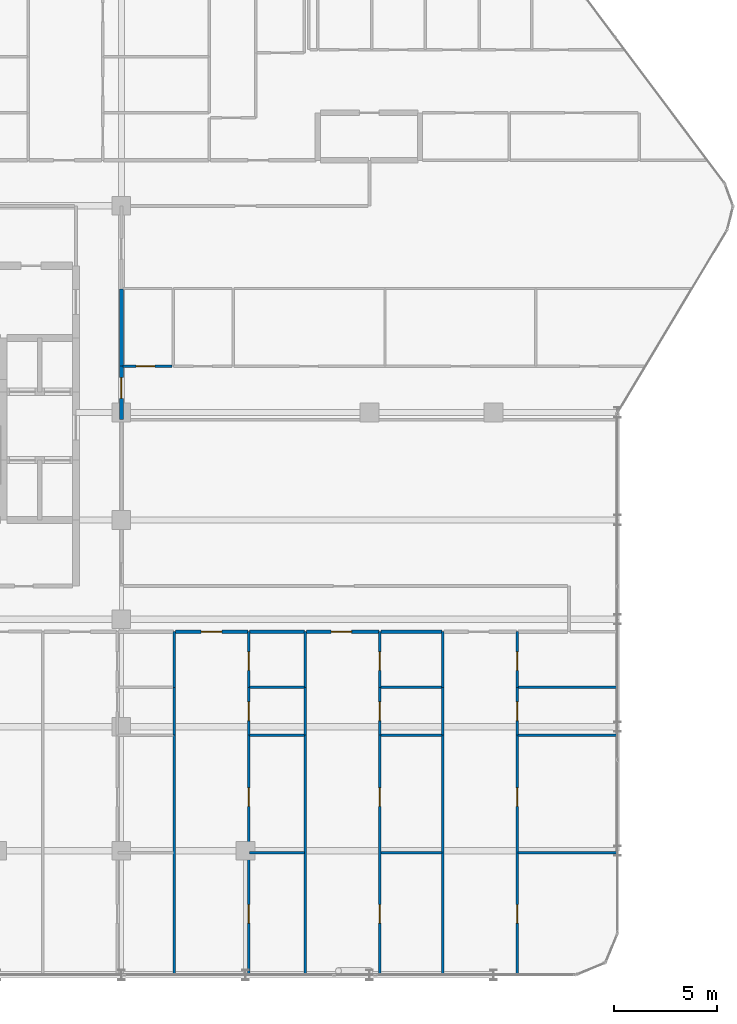
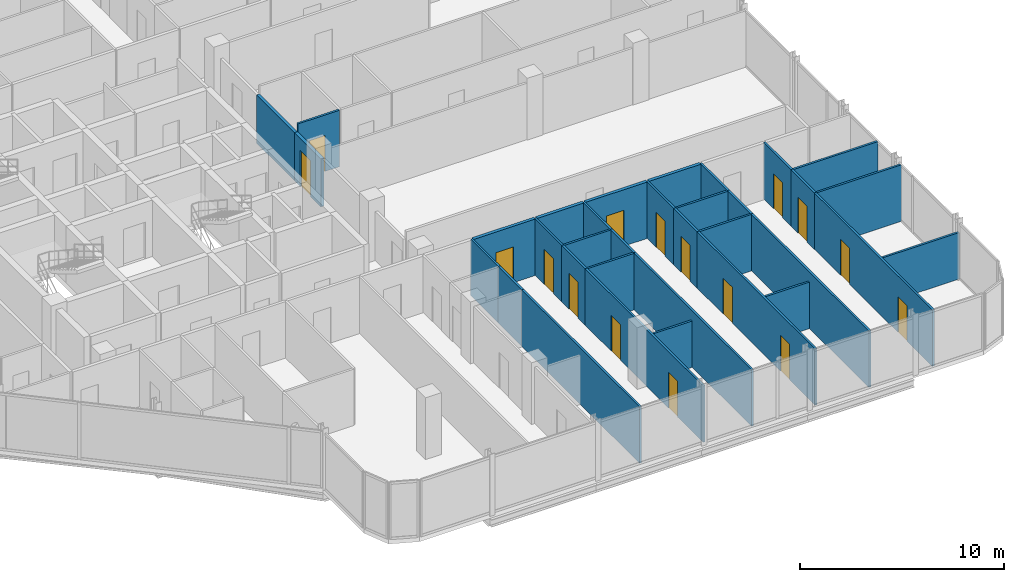
# One storey, part 27 of 32: 34 walls, 16 doors, 16 openings.
"""IFC4 building model written with IfcOpenShell, lengths in metres."""

from ifc_helpers import new_model, si_unit, direction, frame, frame_2d, origin, place, context, subcontext, project, spatial, rectangle, extrude, material, layer, layer_set, type_object, element, fill, save


model = new_model("IFC4")

# Units and contexts
model_context = context("Model", 3, precision=1e-05, world=origin(), true_north=direction((0.0, 1.0)))
body_context = subcontext(model_context, "Body", "Model", "MODEL_VIEW")
ifc_project = project(units=[si_unit("LENGTHUNIT", "METRE"), si_unit("AREAUNIT", "SQUARE_METRE"), si_unit("VOLUMEUNIT", "CUBIC_METRE"), si_unit("PLANEANGLEUNIT", "RADIAN"), si_unit("MASSUNIT", "GRAM", prefix="KILO")], contexts=[model_context])

# Site, building, storey
site_placement = place(None, origin())
site = spatial("IfcSite", under=ifc_project, at=site_placement, CompositionType="ELEMENT")
building_placement = place(site_placement, origin())
building = spatial("IfcBuilding", under=site, at=building_placement, Name="Keshet Zoharim Tower", CompositionType="ELEMENT")
storey_placement = place(building_placement, frame((0.0, 0.0, 152.0)))
storey = spatial("IfcBuildingStorey", under=building, at=storey_placement, Name="L37", CompositionType="ELEMENT", Elevation=152.0)

# Wall, opening, door
ifc_material_1 = material(Name="Gypsum Plasterboard", Category="gypsum")
ifc_layer_1 = layer(ifc_material_1, 0.179931640625)
ifc_layer_set_1 = layer_set([ifc_layer_1], Name="Gypsum Plasterboard")
wall_type_1 = type_object("IfcWallType", Name="WL-CORR-180", PredefinedType="STANDARD", material=ifc_layer_set_1)
wall_1_placement = place(storey_placement, frame((33.0, 27.56005859375, 0.0), z_axis=(0.0, 0.0, 1.0), x_axis=(0.0, 1.0, 0.0)))
wall_1 = element("IfcWall", 1, at=wall_1_placement, inside=storey, type_object=wall_type_1, Name="L37 Interior Wall 071", PredefinedType="STANDARD", context=body_context, shape_type="SweptSolid", body=[
    extrude(rectangle(XDim=2.599853515625, YDim=0.179931640625, at=frame_2d((1.2998046875, 0.0))), origin(), (0.0, 0.0, 1.0), 2.885009765625),
])
opening_1_placement = place(wall_1_placement, frame((1.030029296875, 0.0, 0.0)))
opening_1 = element("IfcOpeningElement", 2, at=opening_1_placement, cuts=wall_1, Name="Opening D-F310", PredefinedType="OPENING", context=body_context, shape_type="SweptSolid", body=[
    extrude(rectangle(XDim=1.0, YDim=2.14990234375, at=frame_2d((0.5, 1.074951171875))), frame((0.0, 0.10009765625, 0.0), z_axis=(0.0, -1.0, 0.0), x_axis=(1.0, 0.0, 0.0)), (0.0, 0.0, 1.0), 0.199951171875),
])
ifc_material_2 = material(Name="Hardwood Timber", Category="wood")
door_type_1 = type_object("IfcDoorType", Name="DR-FD30-100", OperationType="NOTDEFINED", PredefinedType="DOOR", material=ifc_material_2)
door_1_placement = place(opening_1_placement, origin())
door_1 = element("IfcDoor", 3, at=door_1_placement, inside=storey, type_object=door_type_1, Name="Apartment 3713 Entrance Door", OperationType="SINGLE_SWING_RIGHT", OverallHeight=2.14990234375, OverallWidth=1.0, PredefinedType="DOOR", context=body_context, shape_type="SweptSolid", body=[
    extrude(rectangle(XDim=1.0, YDim=2.14990234375, at=frame_2d((0.5, 1.074951171875))), frame((0.0, 0.02490234375, 0.0), z_axis=(0.0, -1.0, 0.0), x_axis=(1.0, 0.0, 0.0)), (0.0, 0.0, 1.0), 0.050048828125),
])
fill(opening_1, door_1)

# Wall
wall_2_placement = place(storey_placement, frame((33.0, 30.159912109375, 0.0), z_axis=(0.0, 0.0, 1.0), x_axis=(0.0, 1.0, 0.0)))
element("IfcWall", 4, at=wall_2_placement, inside=storey, type_object=wall_type_1, Name="L37 Interior Wall 072", PredefinedType="STANDARD", context=body_context, shape_type="SweptSolid", body=[
    extrude(rectangle(XDim=3.719970703125, YDim=0.179931640625, at=frame_2d((1.85986328125, 0.0))), origin(), (0.0, 0.0, 1.0), 2.885009765625),
])

# Wall, opening, door
wall_3_placement = place(storey_placement, frame((35.60498046875, 17.300048828125, 0.0), z_axis=(0.0, 0.0, 1.0), x_axis=(1.0, 0.0, 0.0)))
wall_3 = element("IfcWall", 5, at=wall_3_placement, inside=storey, type_object=wall_type_1, Name="L37 Interior Wall 137", PredefinedType="STANDARD", context=body_context, shape_type="SweptSolid", body=[
    extrude(rectangle(XDim=3.510009765625, YDim=0.179931640625, at=frame_2d((1.7548828125, 0.0))), origin(), (0.0, 0.0, 1.0), 3.385009765625),
])
opening_2_placement = place(wall_3_placement, frame((1.2548828125, 0.0, 0.0)))
opening_2 = element("IfcOpeningElement", 6, at=opening_2_placement, cuts=wall_3, Name="Opening D-F310", PredefinedType="OPENING", context=body_context, shape_type="SweptSolid", body=[
    extrude(rectangle(XDim=1.0, YDim=2.14990234375, at=frame_2d((0.5, 1.074951171875))), frame((0.0, 0.10009765625, 0.0), z_axis=(0.0, -1.0, 0.0), x_axis=(1.0, 0.0, 0.0)), (0.0, 0.0, 1.0), 0.199951171875),
])
door_2_placement = place(opening_2_placement, origin())
door_2 = element("IfcDoor", 7, at=door_2_placement, inside=storey, type_object=door_type_1, Name="Apartment 3703 Entrance Door", OperationType="SINGLE_SWING_RIGHT", OverallHeight=2.14990234375, OverallWidth=1.0, PredefinedType="DOOR", context=body_context, shape_type="SweptSolid", body=[
    extrude(rectangle(XDim=1.0, YDim=2.14990234375, at=frame_2d((0.5, 1.074951171875))), frame((0.0, 0.02490234375, 0.0), z_axis=(0.0, -1.0, 0.0), x_axis=(1.0, 0.0, 0.0)), (0.0, 0.0, 1.0), 0.050048828125),
])
fill(opening_2, door_2)

# Wall
wall_4_placement = place(storey_placement, frame((39.205078125, 17.300048828125, 0.0), z_axis=(0.0, 0.0, 1.0), x_axis=(1.0, 0.0, 0.0)))
element("IfcWall", 8, at=wall_4_placement, inside=storey, type_object=wall_type_1, Name="L37 Interior Wall 138", PredefinedType="STANDARD", context=body_context, shape_type="SweptSolid", body=[
    extrude(rectangle(XDim=2.659912109375, YDim=0.179931640625, at=frame_2d((1.330078125, 0.0))), origin(), (0.0, 0.0, 1.0), 3.385009765625),
])

# Wall, opening, door
wall_5_placement = place(storey_placement, frame((41.955078125, 17.300048828125, 0.0), z_axis=(0.0, 0.0, 1.0), x_axis=(1.0, 0.0, 0.0)))
wall_5 = element("IfcWall", 9, at=wall_5_placement, inside=storey, type_object=wall_type_1, Name="L37 Interior Wall 139", PredefinedType="STANDARD", context=body_context, shape_type="SweptSolid", body=[
    extrude(rectangle(XDim=3.510009765625, YDim=0.179931640625, at=frame_2d((1.7548828125, 0.0))), origin(), (0.0, 0.0, 1.0), 3.385009765625),
])
opening_3_placement = place(wall_5_placement, frame((1.18505859375, 0.0, 0.0)))
opening_3 = element("IfcOpeningElement", 10, at=opening_3_placement, cuts=wall_5, Name="Opening D-F310", PredefinedType="OPENING", context=body_context, shape_type="SweptSolid", body=[
    extrude(rectangle(XDim=1.0, YDim=2.14990234375, at=frame_2d((0.5, 1.074951171875))), frame((0.0, 0.10009765625, 0.0), z_axis=(0.0, -1.0, 0.0), x_axis=(1.0, 0.0, 0.0)), (0.0, 0.0, 1.0), 0.199951171875),
])
door_3_placement = place(opening_3_placement, origin())
door_3 = element("IfcDoor", 11, at=door_3_placement, inside=storey, type_object=door_type_1, Name="Apartment 3704 Entrance Door", OperationType="SINGLE_SWING_LEFT", OverallHeight=2.14990234375, OverallWidth=1.0, PredefinedType="DOOR", context=body_context, shape_type="SweptSolid", body=[
    extrude(rectangle(XDim=1.0, YDim=2.14990234375, at=frame_2d((0.5, 1.074951171875))), frame((0.0, 0.02490234375, 0.0), z_axis=(0.0, -1.0, 0.0), x_axis=(1.0, 0.0, 0.0)), (0.0, 0.0, 1.0), 0.050048828125),
])
fill(opening_3, door_3)

# Walls
wall_6_placement = place(storey_placement, frame((45.554931640625, 17.300048828125, 0.0), z_axis=(0.0, 0.0, 1.0), x_axis=(1.0, 0.0, 0.0)))
element("IfcWall", 12, at=wall_6_placement, inside=storey, type_object=wall_type_1, Name="L37 Interior Wall 140", PredefinedType="STANDARD", context=body_context, shape_type="SweptSolid", body=[
    extrude(rectangle(XDim=2.949951171875, YDim=0.179931640625, at=frame_2d((1.47509765625, 0.0))), origin(), (0.0, 0.0, 1.0), 3.385009765625),
])
ifc_layer_2 = layer(ifc_material_1, 0.1201171875)
ifc_layer_set_2 = layer_set([ifc_layer_2], Name="Gypsum Plasterboard")
wall_type_2 = type_object("IfcWallType", Name="WL-PART-120", PredefinedType="PARTITIONING", material=ifc_layer_set_2)
wall_7_placement = place(storey_placement, frame((35.550048828125, 0.7099609375, 0.0), z_axis=(0.0, 0.0, 1.0), x_axis=(0.0, 1.0, 0.0)))
element("IfcWall", 13, at=wall_7_placement, inside=storey, type_object=wall_type_2, Name="L37 Interior Wall 075", PredefinedType="PARTITIONING", context=body_context, shape_type="SweptSolid", body=[
    extrude(rectangle(XDim=11.590087890625, YDim=0.1201171875, at=frame_2d((5.794921875, 0.0))), origin(), (0.0, 0.0, 1.0), 3.385009765625),
])
wall_8_placement = place(storey_placement, frame((35.550048828125, 12.300048828125, 0.0), z_axis=(0.0, 0.0, 1.0), x_axis=(0.0, 1.0, 0.0)))
element("IfcWall", 14, at=wall_8_placement, inside=storey, type_object=wall_type_2, Name="L37 Interior Wall 076", PredefinedType="PARTITIONING", context=body_context, shape_type="SweptSolid", body=[
    extrude(rectangle(XDim=2.300048828125, YDim=0.1201171875, at=frame_2d((1.14990234375, 0.0))), origin(), (0.0, 0.0, 1.0), 3.385009765625),
])

# Wall, openings, doors
wall_9_placement = place(storey_placement, frame((39.14990234375, 0.7099609375, 0.0), z_axis=(0.0, 0.0, 1.0), x_axis=(0.0, 1.0, 0.0)))
wall_9 = element("IfcWall", 15, at=wall_9_placement, inside=storey, type_object=wall_type_2, Name="L37 Interior Wall 082", PredefinedType="PARTITIONING", context=body_context, shape_type="SweptSolid", body=[
    extrude(rectangle(XDim=11.590087890625, YDim=0.1201171875, at=frame_2d((5.794921875, 0.0))), origin(), (0.0, 0.0, 1.0), 3.385009765625),
])
opening_4_placement = place(wall_9_placement, frame((2.489990234375, 0.0, 0.0)))
opening_4 = element("IfcOpeningElement", 16, at=opening_4_placement, cuts=wall_9, Name="Opening D-IN90", PredefinedType="OPENING", context=body_context, shape_type="SweptSolid", body=[
    extrude(rectangle(XDim=0.89990234375, YDim=2.14990234375, at=frame_2d((0.449951171875, 1.074951171875))), frame((0.0, 0.070068359375, 0.0), z_axis=(0.0, -1.0, 0.0), x_axis=(1.0, 0.0, 0.0)), (0.0, 0.0, 1.0), 0.14013671875),
])
opening_5_placement = place(wall_9_placement, frame((8.133056640625, 0.0, 0.0)))
opening_5 = element("IfcOpeningElement", 17, at=opening_5_placement, cuts=wall_9, Name="Opening D-IN90", PredefinedType="OPENING", context=body_context, shape_type="SweptSolid", body=[
    extrude(rectangle(XDim=0.89990234375, YDim=2.14990234375, at=frame_2d((0.449951171875, 1.074951171875))), frame((0.0, 0.070068359375, 0.0), z_axis=(0.0, -1.0, 0.0), x_axis=(1.0, 0.0, 0.0)), (0.0, 0.0, 1.0), 0.14013671875),
])
door_type_2 = type_object("IfcDoorType", Name="DR-INT-090", OperationType="NOTDEFINED", PredefinedType="DOOR", material=ifc_material_2)
door_4_placement = place(opening_4_placement, origin())
door_4 = element("IfcDoor", 18, at=door_4_placement, inside=storey, type_object=door_type_2, Name="Apartment 3703 Bedroom 1 Door", OperationType="SINGLE_SWING_RIGHT", OverallHeight=2.14990234375, OverallWidth=0.89990234375, PredefinedType="DOOR", context=body_context, shape_type="SweptSolid", body=[
    extrude(rectangle(XDim=0.89990234375, YDim=2.14990234375, at=frame_2d((0.449951171875, 1.074951171875))), frame((0.0, 0.02490234375, 0.0), z_axis=(0.0, -1.0, 0.0), x_axis=(1.0, 0.0, 0.0)), (0.0, 0.0, 1.0), 0.050048828125),
])
fill(opening_4, door_4)
door_5_placement = place(opening_5_placement, origin())
door_5 = element("IfcDoor", 19, at=door_5_placement, inside=storey, type_object=door_type_2, Name="Apartment 3703 Bedroom 2 Door", OperationType="SINGLE_SWING_LEFT", OverallHeight=2.14990234375, OverallWidth=0.89990234375, PredefinedType="DOOR", context=body_context, shape_type="SweptSolid", body=[
    extrude(rectangle(XDim=0.89990234375, YDim=2.14990234375, at=frame_2d((0.449951171875, 1.074951171875))), frame((0.0, 0.02490234375, 0.0), z_axis=(0.0, -1.0, 0.0), x_axis=(1.0, 0.0, 0.0)), (0.0, 0.0, 1.0), 0.050048828125),
])
fill(opening_5, door_5)

# Wall, opening, door
wall_10_placement = place(storey_placement, frame((39.14990234375, 12.300048828125, 0.0), z_axis=(0.0, 0.0, 1.0), x_axis=(0.0, 1.0, 0.0)))
wall_10 = element("IfcWall", 20, at=wall_10_placement, inside=storey, type_object=wall_type_2, Name="L37 Interior Wall 083", PredefinedType="PARTITIONING", context=body_context, shape_type="SweptSolid", body=[
    extrude(rectangle(XDim=2.300048828125, YDim=0.1201171875, at=frame_2d((1.14990234375, 0.0))), origin(), (0.0, 0.0, 1.0), 3.385009765625),
])
opening_6_placement = place(wall_10_placement, frame((0.699951171875, 0.0, 0.0)))
opening_6 = element("IfcOpeningElement", 21, at=opening_6_placement, cuts=wall_10, Name="Opening D-IN90", PredefinedType="OPENING", context=body_context, shape_type="SweptSolid", body=[
    extrude(rectangle(XDim=0.89990234375, YDim=2.14990234375, at=frame_2d((0.449951171875, 1.074951171875))), frame((0.0, 0.070068359375, 0.0), z_axis=(0.0, -1.0, 0.0), x_axis=(1.0, 0.0, 0.0)), (0.0, 0.0, 1.0), 0.14013671875),
])
door_6_placement = place(opening_6_placement, origin())
door_6 = element("IfcDoor", 22, at=door_6_placement, inside=storey, type_object=door_type_2, Name="Apartment 3703 Kitchen Door", OperationType="SINGLE_SWING_RIGHT", OverallHeight=2.14990234375, OverallWidth=0.89990234375, PredefinedType="DOOR", context=body_context, shape_type="SweptSolid", body=[
    extrude(rectangle(XDim=0.89990234375, YDim=2.14990234375, at=frame_2d((0.449951171875, 1.074951171875))), frame((0.0, 0.02490234375, 0.0), z_axis=(0.0, -1.0, 0.0), x_axis=(1.0, 0.0, 0.0)), (0.0, 0.0, 1.0), 0.050048828125),
])
fill(opening_6, door_6)

# Walls
wall_11_placement = place(storey_placement, frame((41.89990234375, 0.7099609375, 0.0), z_axis=(0.0, 0.0, 1.0), x_axis=(0.0, 1.0, 0.0)))
element("IfcWall", 23, at=wall_11_placement, inside=storey, type_object=wall_type_2, Name="L37 Interior Wall 088", PredefinedType="PARTITIONING", context=body_context, shape_type="SweptSolid", body=[
    extrude(rectangle(XDim=11.590087890625, YDim=0.1201171875, at=frame_2d((5.794921875, 0.0))), origin(), (0.0, 0.0, 1.0), 3.385009765625),
])
wall_12_placement = place(storey_placement, frame((41.89990234375, 12.300048828125, 0.0), z_axis=(0.0, 0.0, 1.0), x_axis=(0.0, 1.0, 0.0)))
element("IfcWall", 24, at=wall_12_placement, inside=storey, type_object=wall_type_2, Name="L37 Interior Wall 089", PredefinedType="PARTITIONING", context=body_context, shape_type="SweptSolid", body=[
    extrude(rectangle(XDim=2.300048828125, YDim=0.1201171875, at=frame_2d((1.14990234375, 0.0))), origin(), (0.0, 0.0, 1.0), 3.385009765625),
])

# Wall, openings, doors
wall_13_placement = place(storey_placement, frame((45.5, 0.7099609375, 0.0), z_axis=(0.0, 0.0, 1.0), x_axis=(0.0, 1.0, 0.0)))
wall_13 = element("IfcWall", 25, at=wall_13_placement, inside=storey, type_object=wall_type_2, Name="L37 Interior Wall 096", PredefinedType="PARTITIONING", context=body_context, shape_type="SweptSolid", body=[
    extrude(rectangle(XDim=11.590087890625, YDim=0.1201171875, at=frame_2d((5.794921875, 0.0))), origin(), (0.0, 0.0, 1.0), 3.385009765625),
])
opening_7_placement = place(wall_13_placement, frame((2.489990234375, 0.0, 0.0)))
opening_7 = element("IfcOpeningElement", 26, at=opening_7_placement, cuts=wall_13, Name="Opening D-IN90", PredefinedType="OPENING", context=body_context, shape_type="SweptSolid", body=[
    extrude(rectangle(XDim=0.89990234375, YDim=2.14990234375, at=frame_2d((0.449951171875, 1.074951171875))), frame((0.0, 0.070068359375, 0.0), z_axis=(0.0, -1.0, 0.0), x_axis=(1.0, 0.0, 0.0)), (0.0, 0.0, 1.0), 0.14013671875),
])
opening_8_placement = place(wall_13_placement, frame((8.133056640625, 0.0, 0.0)))
opening_8 = element("IfcOpeningElement", 27, at=opening_8_placement, cuts=wall_13, Name="Opening D-IN90", PredefinedType="OPENING", context=body_context, shape_type="SweptSolid", body=[
    extrude(rectangle(XDim=0.89990234375, YDim=2.14990234375, at=frame_2d((0.449951171875, 1.074951171875))), frame((0.0, 0.070068359375, 0.0), z_axis=(0.0, -1.0, 0.0), x_axis=(1.0, 0.0, 0.0)), (0.0, 0.0, 1.0), 0.14013671875),
])
door_7_placement = place(opening_7_placement, origin())
door_7 = element("IfcDoor", 28, at=door_7_placement, inside=storey, type_object=door_type_2, Name="Apartment 3704 Bedroom 1 Door", OperationType="SINGLE_SWING_RIGHT", OverallHeight=2.14990234375, OverallWidth=0.89990234375, PredefinedType="DOOR", context=body_context, shape_type="SweptSolid", body=[
    extrude(rectangle(XDim=0.89990234375, YDim=2.14990234375, at=frame_2d((0.449951171875, 1.074951171875))), frame((0.0, 0.02490234375, 0.0), z_axis=(0.0, -1.0, 0.0), x_axis=(1.0, 0.0, 0.0)), (0.0, 0.0, 1.0), 0.050048828125),
])
fill(opening_7, door_7)
door_8_placement = place(opening_8_placement, origin())
door_8 = element("IfcDoor", 29, at=door_8_placement, inside=storey, type_object=door_type_2, Name="Apartment 3704 Bedroom 2 Door", OperationType="SINGLE_SWING_LEFT", OverallHeight=2.14990234375, OverallWidth=0.89990234375, PredefinedType="DOOR", context=body_context, shape_type="SweptSolid", body=[
    extrude(rectangle(XDim=0.89990234375, YDim=2.14990234375, at=frame_2d((0.449951171875, 1.074951171875))), frame((0.0, 0.02490234375, 0.0), z_axis=(0.0, -1.0, 0.0), x_axis=(1.0, 0.0, 0.0)), (0.0, 0.0, 1.0), 0.050048828125),
])
fill(opening_8, door_8)

# Wall, opening, door
wall_14_placement = place(storey_placement, frame((45.5, 12.300048828125, 0.0), z_axis=(0.0, 0.0, 1.0), x_axis=(0.0, 1.0, 0.0)))
wall_14 = element("IfcWall", 30, at=wall_14_placement, inside=storey, type_object=wall_type_2, Name="L37 Interior Wall 097", PredefinedType="PARTITIONING", context=body_context, shape_type="SweptSolid", body=[
    extrude(rectangle(XDim=2.300048828125, YDim=0.1201171875, at=frame_2d((1.14990234375, 0.0))), origin(), (0.0, 0.0, 1.0), 3.385009765625),
])
opening_9_placement = place(wall_14_placement, frame((0.699951171875, 0.0, 0.0)))
opening_9 = element("IfcOpeningElement", 31, at=opening_9_placement, cuts=wall_14, Name="Opening D-IN90", PredefinedType="OPENING", context=body_context, shape_type="SweptSolid", body=[
    extrude(rectangle(XDim=0.89990234375, YDim=2.14990234375, at=frame_2d((0.449951171875, 1.074951171875))), frame((0.0, 0.070068359375, 0.0), z_axis=(0.0, -1.0, 0.0), x_axis=(1.0, 0.0, 0.0)), (0.0, 0.0, 1.0), 0.14013671875),
])
door_9_placement = place(opening_9_placement, origin())
door_9 = element("IfcDoor", 32, at=door_9_placement, inside=storey, type_object=door_type_2, Name="Apartment 3704 Kitchen Door", OperationType="SINGLE_SWING_RIGHT", OverallHeight=2.14990234375, OverallWidth=0.89990234375, PredefinedType="DOOR", context=body_context, shape_type="SweptSolid", body=[
    extrude(rectangle(XDim=0.89990234375, YDim=2.14990234375, at=frame_2d((0.449951171875, 1.074951171875))), frame((0.0, 0.02490234375, 0.0), z_axis=(0.0, -1.0, 0.0), x_axis=(1.0, 0.0, 0.0)), (0.0, 0.0, 1.0), 0.050048828125),
])
fill(opening_9, door_9)

# Walls
wall_15_placement = place(storey_placement, frame((48.550048828125, 0.7099609375, 0.0), z_axis=(0.0, 0.0, 1.0), x_axis=(0.0, 1.0, 0.0)))
element("IfcWall", 33, at=wall_15_placement, inside=storey, type_object=wall_type_2, Name="L37 Interior Wall 102", PredefinedType="PARTITIONING", context=body_context, shape_type="SweptSolid", body=[
    extrude(rectangle(XDim=11.590087890625, YDim=0.1201171875, at=frame_2d((5.794921875, 0.0))), origin(), (0.0, 0.0, 1.0), 3.385009765625),
])
wall_16_placement = place(storey_placement, frame((48.550048828125, 12.300048828125, 0.0), z_axis=(0.0, 0.0, 1.0), x_axis=(0.0, 1.0, 0.0)))
element("IfcWall", 34, at=wall_16_placement, inside=storey, type_object=wall_type_2, Name="L37 Interior Wall 103", PredefinedType="PARTITIONING", context=body_context, shape_type="SweptSolid", body=[
    extrude(rectangle(XDim=2.300048828125, YDim=0.1201171875, at=frame_2d((1.14990234375, 0.0))), origin(), (0.0, 0.0, 1.0), 3.385009765625),
])

# Wall, openings, doors
wall_17_placement = place(storey_placement, frame((52.14990234375, 0.7099609375, 0.0), z_axis=(0.0, 0.0, 1.0), x_axis=(0.0, 1.0, 0.0)))
wall_17 = element("IfcWall", 35, at=wall_17_placement, inside=storey, type_object=wall_type_2, Name="L37 Interior Wall 107", PredefinedType="PARTITIONING", context=body_context, shape_type="SweptSolid", body=[
    extrude(rectangle(XDim=11.590087890625, YDim=0.1201171875, at=frame_2d((5.794921875, 0.0))), origin(), (0.0, 0.0, 1.0), 3.385009765625),
])
opening_10_placement = place(wall_17_placement, frame((2.489990234375, 0.0, 0.0)))
opening_10 = element("IfcOpeningElement", 36, at=opening_10_placement, cuts=wall_17, Name="Opening D-IN90", PredefinedType="OPENING", context=body_context, shape_type="SweptSolid", body=[
    extrude(rectangle(XDim=0.89990234375, YDim=2.14990234375, at=frame_2d((0.449951171875, 1.074951171875))), frame((0.0, 0.070068359375, 0.0), z_axis=(0.0, -1.0, 0.0), x_axis=(1.0, 0.0, 0.0)), (0.0, 0.0, 1.0), 0.14013671875),
])
opening_11_placement = place(wall_17_placement, frame((8.133056640625, 0.0, 0.0)))
opening_11 = element("IfcOpeningElement", 37, at=opening_11_placement, cuts=wall_17, Name="Opening D-IN90", PredefinedType="OPENING", context=body_context, shape_type="SweptSolid", body=[
    extrude(rectangle(XDim=0.89990234375, YDim=2.14990234375, at=frame_2d((0.449951171875, 1.074951171875))), frame((0.0, 0.070068359375, 0.0), z_axis=(0.0, -1.0, 0.0), x_axis=(1.0, 0.0, 0.0)), (0.0, 0.0, 1.0), 0.14013671875),
])
door_10_placement = place(opening_10_placement, origin())
door_10 = element("IfcDoor", 38, at=door_10_placement, inside=storey, type_object=door_type_2, Name="Apartment 3705 Bedroom 1 Door", OperationType="SINGLE_SWING_RIGHT", OverallHeight=2.14990234375, OverallWidth=0.89990234375, PredefinedType="DOOR", context=body_context, shape_type="SweptSolid", body=[
    extrude(rectangle(XDim=0.89990234375, YDim=2.14990234375, at=frame_2d((0.449951171875, 1.074951171875))), frame((0.0, 0.02490234375, 0.0), z_axis=(0.0, -1.0, 0.0), x_axis=(1.0, 0.0, 0.0)), (0.0, 0.0, 1.0), 0.050048828125),
])
fill(opening_10, door_10)
door_11_placement = place(opening_11_placement, origin())
door_11 = element("IfcDoor", 39, at=door_11_placement, inside=storey, type_object=door_type_2, Name="Apartment 3705 Bedroom 2 Door", OperationType="SINGLE_SWING_LEFT", OverallHeight=2.14990234375, OverallWidth=0.89990234375, PredefinedType="DOOR", context=body_context, shape_type="SweptSolid", body=[
    extrude(rectangle(XDim=0.89990234375, YDim=2.14990234375, at=frame_2d((0.449951171875, 1.074951171875))), frame((0.0, 0.02490234375, 0.0), z_axis=(0.0, -1.0, 0.0), x_axis=(1.0, 0.0, 0.0)), (0.0, 0.0, 1.0), 0.050048828125),
])
fill(opening_11, door_11)

# Wall, opening, door
wall_18_placement = place(storey_placement, frame((52.14990234375, 12.300048828125, 0.0), z_axis=(0.0, 0.0, 1.0), x_axis=(0.0, 1.0, 0.0)))
wall_18 = element("IfcWall", 40, at=wall_18_placement, inside=storey, type_object=wall_type_2, Name="L37 Interior Wall 108", PredefinedType="PARTITIONING", context=body_context, shape_type="SweptSolid", body=[
    extrude(rectangle(XDim=2.300048828125, YDim=0.1201171875, at=frame_2d((1.14990234375, 0.0))), origin(), (0.0, 0.0, 1.0), 3.385009765625),
])
opening_12_placement = place(wall_18_placement, frame((0.699951171875, 0.0, 0.0)))
opening_12 = element("IfcOpeningElement", 41, at=opening_12_placement, cuts=wall_18, Name="Opening D-IN90", PredefinedType="OPENING", context=body_context, shape_type="SweptSolid", body=[
    extrude(rectangle(XDim=0.89990234375, YDim=2.14990234375, at=frame_2d((0.449951171875, 1.074951171875))), frame((0.0, 0.070068359375, 0.0), z_axis=(0.0, -1.0, 0.0), x_axis=(1.0, 0.0, 0.0)), (0.0, 0.0, 1.0), 0.14013671875),
])
door_12_placement = place(opening_12_placement, origin())
door_12 = element("IfcDoor", 42, at=door_12_placement, inside=storey, type_object=door_type_2, Name="Apartment 3705 Kitchen Door", OperationType="SINGLE_SWING_RIGHT", OverallHeight=2.14990234375, OverallWidth=0.89990234375, PredefinedType="DOOR", context=body_context, shape_type="SweptSolid", body=[
    extrude(rectangle(XDim=0.89990234375, YDim=2.14990234375, at=frame_2d((0.449951171875, 1.074951171875))), frame((0.0, 0.02490234375, 0.0), z_axis=(0.0, -1.0, 0.0), x_axis=(1.0, 0.0, 0.0)), (0.0, 0.0, 1.0), 0.050048828125),
])
fill(opening_12, door_12)

# Walls
wall_19_placement = place(storey_placement, frame((39.205078125, 6.60009765625, 0.0), z_axis=(0.0, 0.0, 1.0), x_axis=(1.0, 0.0, 0.0)))
element("IfcWall", 43, at=wall_19_placement, inside=storey, type_object=wall_type_2, Name="L37 Interior Wall 115", PredefinedType="PARTITIONING", context=body_context, shape_type="SweptSolid", body=[
    extrude(rectangle(XDim=2.659912109375, YDim=0.1201171875, at=frame_2d((1.330078125, 0.0))), origin(), (0.0, 0.0, 1.0), 2.784912109375),
])
wall_20_placement = place(storey_placement, frame((45.554931640625, 6.60009765625, 0.0), z_axis=(0.0, 0.0, 1.0), x_axis=(1.0, 0.0, 0.0)))
element("IfcWall", 44, at=wall_20_placement, inside=storey, type_object=wall_type_2, Name="L37 Interior Wall 116", PredefinedType="PARTITIONING", context=body_context, shape_type="SweptSolid", body=[
    extrude(rectangle(XDim=2.949951171875, YDim=0.1201171875, at=frame_2d((1.47509765625, 0.0))), origin(), (0.0, 0.0, 1.0), 2.784912109375),
])
wall_21_placement = place(storey_placement, frame((52.195068359375, 6.60009765625, 0.0), z_axis=(0.0, 0.0, 1.0), x_axis=(1.0, 0.0, 0.0)))
element("IfcWall", 45, at=wall_21_placement, inside=storey, type_object=wall_type_2, Name="L37 Interior Wall 117", PredefinedType="PARTITIONING", context=body_context, shape_type="SweptSolid", body=[
    extrude(rectangle(XDim=4.794921875, YDim=0.1201171875, at=frame_2d((2.3974609375, 0.0))), origin(), (0.0, 0.0, 1.0), 2.784912109375),
])
wall_22_placement = place(storey_placement, frame((39.205078125, 12.300048828125, 0.0), z_axis=(0.0, 0.0, 1.0), x_axis=(1.0, 0.0, 0.0)))
element("IfcWall", 46, at=wall_22_placement, inside=storey, type_object=wall_type_2, Name="L37 Interior Wall 121", PredefinedType="PARTITIONING", context=body_context, shape_type="SweptSolid", body=[
    extrude(rectangle(XDim=2.659912109375, YDim=0.1201171875, at=frame_2d((1.330078125, 0.0))), origin(), (0.0, 0.0, 1.0), 3.385009765625),
])
wall_23_placement = place(storey_placement, frame((45.554931640625, 12.300048828125, 0.0), z_axis=(0.0, 0.0, 1.0), x_axis=(1.0, 0.0, 0.0)))
element("IfcWall", 47, at=wall_23_placement, inside=storey, type_object=wall_type_2, Name="L37 Interior Wall 122", PredefinedType="PARTITIONING", context=body_context, shape_type="SweptSolid", body=[
    extrude(rectangle(XDim=2.949951171875, YDim=0.1201171875, at=frame_2d((1.47509765625, 0.0))), origin(), (0.0, 0.0, 1.0), 3.385009765625),
])
wall_24_placement = place(storey_placement, frame((52.195068359375, 12.300048828125, 0.0), z_axis=(0.0, 0.0, 1.0), x_axis=(1.0, 0.0, 0.0)))
element("IfcWall", 48, at=wall_24_placement, inside=storey, type_object=wall_type_2, Name="L37 Interior Wall 123", PredefinedType="PARTITIONING", context=body_context, shape_type="SweptSolid", body=[
    extrude(rectangle(XDim=4.794921875, YDim=0.1201171875, at=frame_2d((2.3974609375, 0.0))), origin(), (0.0, 0.0, 1.0), 3.385009765625),
])

# Wall, opening, door
wall_25_placement = place(storey_placement, frame((33.074951171875, 30.14990234375, 0.0), z_axis=(0.0, 0.0, 1.0), x_axis=(1.0, 0.0, 0.0)))
wall_25 = element("IfcWall", 49, at=wall_25_placement, inside=storey, type_object=wall_type_2, Name="L37 Interior Wall 169", PredefinedType="PARTITIONING", context=body_context, shape_type="SweptSolid", body=[
    extrude(rectangle(XDim=2.364013671875, YDim=0.1201171875, at=frame_2d((1.18212890625, 0.0))), origin(), (0.0, 0.0, 1.0), 3.385009765625),
])
opening_13_placement = place(wall_25_placement, frame((0.64111328125, 0.0, 0.0)))
opening_13 = element("IfcOpeningElement", 50, at=opening_13_placement, cuts=wall_25, Name="Opening D-IN90", PredefinedType="OPENING", context=body_context, shape_type="SweptSolid", body=[
    extrude(rectangle(XDim=0.89990234375, YDim=2.14990234375, at=frame_2d((0.449951171875, 1.074951171875))), frame((0.0, 0.070068359375, 0.0), z_axis=(0.0, -1.0, 0.0), x_axis=(1.0, 0.0, 0.0)), (0.0, 0.0, 1.0), 0.14013671875),
])
door_13_placement = place(opening_13_placement, origin())
door_13 = element("IfcDoor", 51, at=door_13_placement, inside=storey, type_object=door_type_2, Name="Apartment 3713 Kitchen Door", OperationType="SINGLE_SWING_LEFT", OverallHeight=2.14990234375, OverallWidth=0.89990234375, PredefinedType="DOOR", context=body_context, shape_type="SweptSolid", body=[
    extrude(rectangle(XDim=0.89990234375, YDim=2.14990234375, at=frame_2d((0.449951171875, 1.074951171875))), frame((0.0, 0.02490234375, 0.0), z_axis=(0.0, -1.0, 0.0), x_axis=(1.0, 0.0, 0.0)), (0.0, 0.0, 1.0), 0.050048828125),
])
fill(opening_13, door_13)

# Wall
ifc_layer_3 = layer(ifc_material_1, 0.1201171875)
ifc_layer_set_3 = layer_set([ifc_layer_3], Name="Gypsum Plasterboard")
wall_type_3 = type_object("IfcWallType", Name="WL-WET-120", PredefinedType="PARTITIONING", material=ifc_layer_set_3)
wall_26_placement = place(storey_placement, frame((35.550048828125, 14.60009765625, 0.0), z_axis=(0.0, 0.0, 1.0), x_axis=(0.0, 1.0, 0.0)))
element("IfcWall", 52, at=wall_26_placement, inside=storey, type_object=wall_type_3, Name="L37 Interior Wall 077", PredefinedType="PARTITIONING", context=body_context, shape_type="SweptSolid", body=[
    extrude(rectangle(XDim=2.699951171875, YDim=0.1201171875, at=frame_2d((1.35009765625, 0.0))), origin(), (0.0, 0.0, 1.0), 3.385009765625),
])

# Wall, opening, door
wall_27_placement = place(storey_placement, frame((39.14990234375, 14.60009765625, 0.0), z_axis=(0.0, 0.0, 1.0), x_axis=(0.0, 1.0, 0.0)))
wall_27 = element("IfcWall", 53, at=wall_27_placement, inside=storey, type_object=wall_type_3, Name="L37 Interior Wall 084", PredefinedType="PARTITIONING", context=body_context, shape_type="SweptSolid", body=[
    extrude(rectangle(XDim=2.699951171875, YDim=0.1201171875, at=frame_2d((1.35009765625, 0.0))), origin(), (0.0, 0.0, 1.0), 3.385009765625),
])
opening_14_placement = place(wall_27_placement, frame((0.827880859375, 0.0, 0.0)))
opening_14 = element("IfcOpeningElement", 54, at=opening_14_placement, cuts=wall_27, Name="Opening D-WT90", PredefinedType="OPENING", context=body_context, shape_type="SweptSolid", body=[
    extrude(rectangle(XDim=0.89990234375, YDim=2.10009765625, at=frame_2d((0.449951171875, 1.050048828125))), frame((0.0, 0.070068359375, 0.0), z_axis=(0.0, -1.0, 0.0), x_axis=(1.0, 0.0, 0.0)), (0.0, 0.0, 1.0), 0.14013671875),
])
door_type_3 = type_object("IfcDoorType", Name="DR-WET-090", OperationType="NOTDEFINED", PredefinedType="DOOR", material=ifc_material_2)
door_14_placement = place(opening_14_placement, origin())
door_14 = element("IfcDoor", 55, at=door_14_placement, inside=storey, type_object=door_type_3, Name="Apartment 3703 Bathroom Door", OperationType="SINGLE_SWING_LEFT", OverallHeight=2.10009765625, OverallWidth=0.89990234375, PredefinedType="DOOR", context=body_context, shape_type="SweptSolid", body=[
    extrude(rectangle(XDim=0.89990234375, YDim=2.10009765625, at=frame_2d((0.449951171875, 1.050048828125))), frame((0.0, 0.02490234375, 0.0), z_axis=(0.0, -1.0, 0.0), x_axis=(1.0, 0.0, 0.0)), (0.0, 0.0, 1.0), 0.050048828125),
])
fill(opening_14, door_14)

# Wall
wall_28_placement = place(storey_placement, frame((41.89990234375, 14.60009765625, 0.0), z_axis=(0.0, 0.0, 1.0), x_axis=(0.0, 1.0, 0.0)))
element("IfcWall", 56, at=wall_28_placement, inside=storey, type_object=wall_type_3, Name="L37 Interior Wall 090", PredefinedType="PARTITIONING", context=body_context, shape_type="SweptSolid", body=[
    extrude(rectangle(XDim=2.699951171875, YDim=0.1201171875, at=frame_2d((1.35009765625, 0.0))), origin(), (0.0, 0.0, 1.0), 3.385009765625),
])

# Wall, opening, door
wall_29_placement = place(storey_placement, frame((45.5, 14.60009765625, 0.0), z_axis=(0.0, 0.0, 1.0), x_axis=(0.0, 1.0, 0.0)))
wall_29 = element("IfcWall", 57, at=wall_29_placement, inside=storey, type_object=wall_type_3, Name="L37 Interior Wall 098", PredefinedType="PARTITIONING", context=body_context, shape_type="SweptSolid", body=[
    extrude(rectangle(XDim=2.699951171875, YDim=0.1201171875, at=frame_2d((1.35009765625, 0.0))), origin(), (0.0, 0.0, 1.0), 3.385009765625),
])
opening_15_placement = place(wall_29_placement, frame((0.827880859375, 0.0, 0.0)))
opening_15 = element("IfcOpeningElement", 58, at=opening_15_placement, cuts=wall_29, Name="Opening D-WT90", PredefinedType="OPENING", context=body_context, shape_type="SweptSolid", body=[
    extrude(rectangle(XDim=0.89990234375, YDim=2.10009765625, at=frame_2d((0.449951171875, 1.050048828125))), frame((0.0, 0.070068359375, 0.0), z_axis=(0.0, -1.0, 0.0), x_axis=(1.0, 0.0, 0.0)), (0.0, 0.0, 1.0), 0.14013671875),
])
door_15_placement = place(opening_15_placement, origin())
door_15 = element("IfcDoor", 59, at=door_15_placement, inside=storey, type_object=door_type_3, Name="Apartment 3704 Bathroom Door", OperationType="SINGLE_SWING_LEFT", OverallHeight=2.10009765625, OverallWidth=0.89990234375, PredefinedType="DOOR", context=body_context, shape_type="SweptSolid", body=[
    extrude(rectangle(XDim=0.89990234375, YDim=2.10009765625, at=frame_2d((0.449951171875, 1.050048828125))), frame((0.0, 0.02490234375, 0.0), z_axis=(0.0, -1.0, 0.0), x_axis=(1.0, 0.0, 0.0)), (0.0, 0.0, 1.0), 0.050048828125),
])
fill(opening_15, door_15)

# Wall
wall_30_placement = place(storey_placement, frame((48.550048828125, 14.60009765625, 0.0), z_axis=(0.0, 0.0, 1.0), x_axis=(0.0, 1.0, 0.0)))
element("IfcWall", 60, at=wall_30_placement, inside=storey, type_object=wall_type_3, Name="L37 Interior Wall 104", PredefinedType="PARTITIONING", context=body_context, shape_type="SweptSolid", body=[
    extrude(rectangle(XDim=2.699951171875, YDim=0.1201171875, at=frame_2d((1.35009765625, 0.0))), origin(), (0.0, 0.0, 1.0), 3.385009765625),
])

# Wall, opening, door
wall_31_placement = place(storey_placement, frame((52.14990234375, 14.60009765625, 0.0), z_axis=(0.0, 0.0, 1.0), x_axis=(0.0, 1.0, 0.0)))
wall_31 = element("IfcWall", 61, at=wall_31_placement, inside=storey, type_object=wall_type_3, Name="L37 Interior Wall 109", PredefinedType="PARTITIONING", context=body_context, shape_type="SweptSolid", body=[
    extrude(rectangle(XDim=2.699951171875, YDim=0.1201171875, at=frame_2d((1.35009765625, 0.0))), origin(), (0.0, 0.0, 1.0), 3.385009765625),
])
opening_16_placement = place(wall_31_placement, frame((0.827880859375, 0.0, 0.0)))
opening_16 = element("IfcOpeningElement", 62, at=opening_16_placement, cuts=wall_31, Name="Opening D-WT90", PredefinedType="OPENING", context=body_context, shape_type="SweptSolid", body=[
    extrude(rectangle(XDim=0.89990234375, YDim=2.10009765625, at=frame_2d((0.449951171875, 1.050048828125))), frame((0.0, 0.070068359375, 0.0), z_axis=(0.0, -1.0, 0.0), x_axis=(1.0, 0.0, 0.0)), (0.0, 0.0, 1.0), 0.14013671875),
])
door_16_placement = place(opening_16_placement, origin())
door_16 = element("IfcDoor", 63, at=door_16_placement, inside=storey, type_object=door_type_3, Name="Apartment 3705 Bathroom Door", OperationType="SINGLE_SWING_LEFT", OverallHeight=2.10009765625, OverallWidth=0.89990234375, PredefinedType="DOOR", context=body_context, shape_type="SweptSolid", body=[
    extrude(rectangle(XDim=0.89990234375, YDim=2.10009765625, at=frame_2d((0.449951171875, 1.050048828125))), frame((0.0, 0.02490234375, 0.0), z_axis=(0.0, -1.0, 0.0), x_axis=(1.0, 0.0, 0.0)), (0.0, 0.0, 1.0), 0.050048828125),
])
fill(opening_16, door_16)

# Walls
wall_32_placement = place(storey_placement, frame((39.205078125, 14.60009765625, 0.0), z_axis=(0.0, 0.0, 1.0), x_axis=(1.0, 0.0, 0.0)))
element("IfcWall", 64, at=wall_32_placement, inside=storey, type_object=wall_type_3, Name="L37 Interior Wall 126", PredefinedType="PARTITIONING", context=body_context, shape_type="SweptSolid", body=[
    extrude(rectangle(XDim=2.659912109375, YDim=0.1201171875, at=frame_2d((1.330078125, 0.0))), origin(), (0.0, 0.0, 1.0), 3.385009765625),
])
wall_33_placement = place(storey_placement, frame((45.554931640625, 14.60009765625, 0.0), z_axis=(0.0, 0.0, 1.0), x_axis=(1.0, 0.0, 0.0)))
element("IfcWall", 65, at=wall_33_placement, inside=storey, type_object=wall_type_3, Name="L37 Interior Wall 127", PredefinedType="PARTITIONING", context=body_context, shape_type="SweptSolid", body=[
    extrude(rectangle(XDim=2.949951171875, YDim=0.1201171875, at=frame_2d((1.47509765625, 0.0))), origin(), (0.0, 0.0, 1.0), 3.385009765625),
])
wall_34_placement = place(storey_placement, frame((52.195068359375, 14.60009765625, 0.0), z_axis=(0.0, 0.0, 1.0), x_axis=(1.0, 0.0, 0.0)))
element("IfcWall", 66, at=wall_34_placement, inside=storey, type_object=wall_type_3, Name="L37 Interior Wall 128", PredefinedType="PARTITIONING", context=body_context, shape_type="SweptSolid", body=[
    extrude(rectangle(XDim=4.794921875, YDim=0.1201171875, at=frame_2d((2.3974609375, 0.0))), origin(), (0.0, 0.0, 1.0), 3.385009765625),
])

save(model, "model.ifc")
